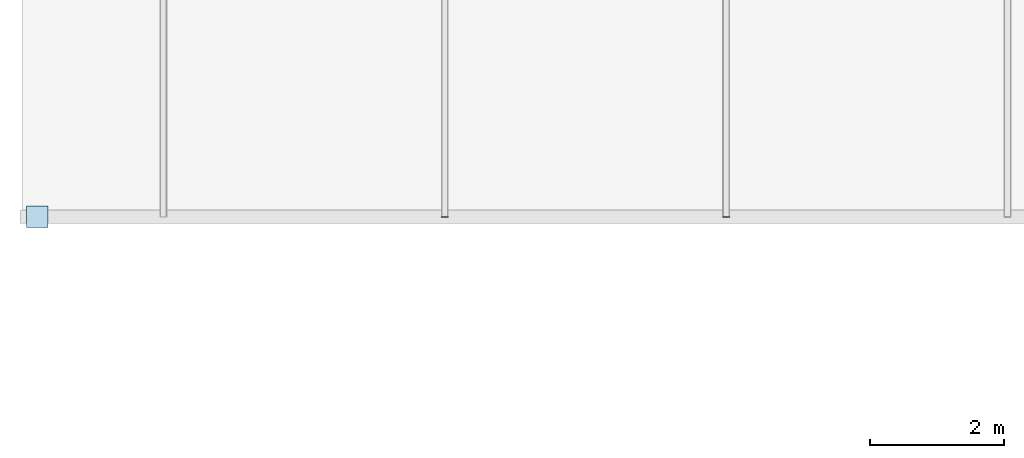
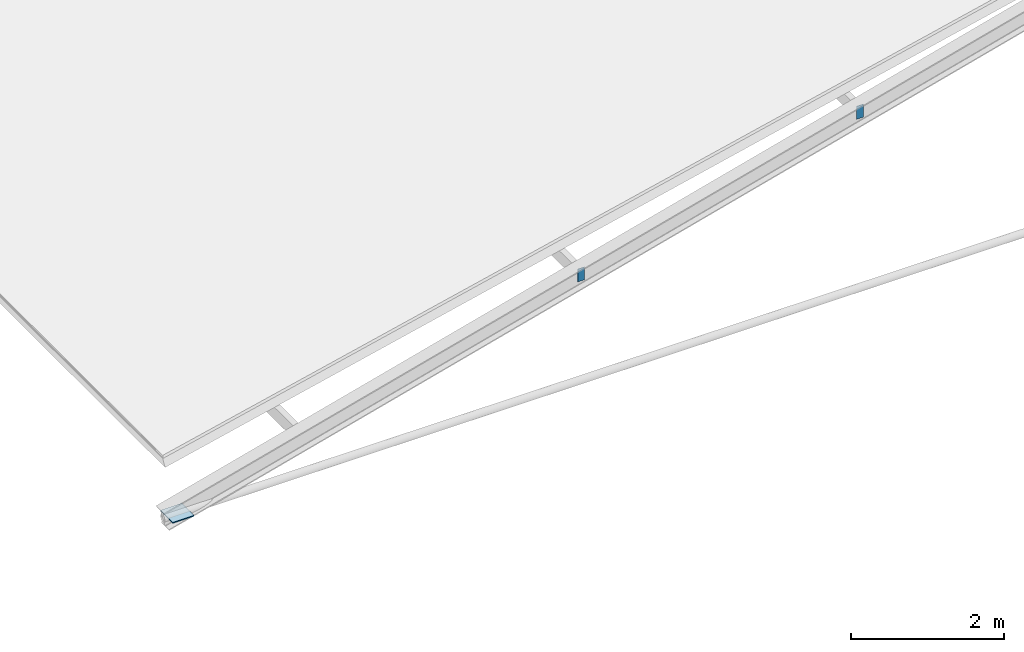
# One storey, part 18 of 42: 3 plates.
"""IFC4 building model written with IfcOpenShell, lengths in metres."""

import ifcopenshell
import ifcopenshell.guid

model = None  # the IFC model being written
_history = None  # IfcOwnerHistory: only IFC2X3 demands one
_inside = {}  # id of a spatial element -> (the spatial element, [elements in it])
_under = {}  # id of a project, library or spatial element -> (it, [spatial elements below it])
_declared = {}  # id of a project -> (the project, [libraries it declares])
_typed = {}  # id of a type object -> (the type object, [elements of that type])
_made_of = {}  # id of a material, layer set ... -> (it, [elements and type objects made of it])


def new_model(schema):
    """Start an empty IFC model of exactly this schema.

    Asked for "IFC4X3", IfcOpenShell would pick the latest addendum, in which some entities
    have other attributes; the version numbers below select the first issue.
    IFC2X3 requires an IfcOwnerHistory on every rooted entity: one is made here for all.
    """
    global model, _history
    if schema == "IFC4X3":
        model = ifcopenshell.file(schema_version=(4, 3, 0, 0))
    else:
        model = ifcopenshell.file(schema=schema)
    _inside.clear()
    _under.clear()
    _declared.clear()
    _typed.clear()
    _made_of.clear()
    _history = None
    if model.schema == "IFC2X3":
        org = make("IfcOrganization", Name="unknown")
        user = make(
            "IfcPersonAndOrganization",
            ThePerson=make("IfcPerson", FamilyName="unknown"),
            TheOrganization=org,
        )
        app = make(
            "IfcApplication",
            ApplicationDeveloper=org,
            Version="unknown",
            ApplicationFullName="unknown",
            ApplicationIdentifier="unknown",
        )
        _history = make(
            "IfcOwnerHistory",
            OwningUser=user,
            OwningApplication=app,
            ChangeAction="ADDED",
            CreationDate=0,
        )
    return model


def make(cls, **values):
    """One entity of the class cls with the attributes given. An attribute that is None is left unset."""
    return model.create_entity(
        cls, **{name: value for name, value in values.items() if value is not None}
    )


def rooted(cls, **values):
    """An entity with a GlobalId (a new one), such as an element, a storey or a relation."""
    return make(cls, GlobalId=ifcopenshell.guid.new(), OwnerHistory=_history, **values)


def si_unit(unit_type, name, prefix=None):
    """IfcSIUnit, for example si_unit("LENGTHUNIT", "METRE", prefix="MILLI")."""
    return make("IfcSIUnit", UnitType=unit_type, Prefix=prefix, Name=name)


def derived_unit(unit_type, elements):
    """IfcDerivedUnit: a product of units, each with its exponent."""
    return make(
        "IfcDerivedUnit",
        Elements=[
            make("IfcDerivedUnitElement", Unit=unit, Exponent=power)
            for unit, power in elements
        ],
        UnitType=unit_type,
    )


def assignment(units):
    """IfcUnitAssignment: the units of a project."""
    return None if units is None else make("IfcUnitAssignment", Units=units)


def point(xyz):
    """IfcCartesianPoint."""
    return None if xyz is None else make("IfcCartesianPoint", Coordinates=xyz)


def direction(xyz):
    """IfcDirection."""
    return None if xyz is None else make("IfcDirection", DirectionRatios=xyz)


def frame(location, z_axis=None, x_axis=None):
    """IfcAxis2Placement3D, a coordinate frame: its origin and axes. An axis left out is left unset."""
    return make(
        "IfcAxis2Placement3D",
        Location=point(location),
        Axis=direction(z_axis),
        RefDirection=direction(x_axis),
    )


def frame_2d(location, x_axis=None):
    """IfcAxis2Placement2D, a coordinate frame in the plane: its origin and x axis."""
    return make(
        "IfcAxis2Placement2D", Location=point(location), RefDirection=direction(x_axis)
    )


def origin():
    """The frame at (0, 0, 0) with its axes left unset."""
    return frame((0.0, 0.0, 0.0))


def origin_2d():
    """The frame at (0, 0) in the plane with its x axis left unset."""
    return frame_2d((0.0, 0.0))


def place(relative_to, where):
    """IfcLocalPlacement: puts the frame where relative to a parent placement (None: the world)."""
    return make(
        "IfcLocalPlacement", PlacementRelTo=relative_to, RelativePlacement=where
    )


def context(
    kind, dimensions, precision=None, world=None, true_north=None, identifier=None
):
    """IfcGeometricRepresentationContext, for example the 3D "Model" context."""
    return make(
        "IfcGeometricRepresentationContext",
        ContextIdentifier=identifier,
        ContextType=kind,
        CoordinateSpaceDimension=dimensions,
        Precision=precision,
        WorldCoordinateSystem=world,
        TrueNorth=true_north,
    )


def subcontext(parent, identifier, kind, view, scale=None):
    """IfcGeometricRepresentationSubContext, for example "Body" below "Model"."""
    return make(
        "IfcGeometricRepresentationSubContext",
        ContextIdentifier=identifier,
        ContextType=kind,
        ParentContext=parent,
        TargetScale=scale,
        TargetView=view,
    )


def project(units=None, contexts=None):
    """IfcProject with its units and contexts."""
    return rooted(
        "IfcProject",
        Name="project",
        RepresentationContexts=contexts,
        UnitsInContext=assignment(units),
    )


def spatial(cls, under=None, at=None, **own):
    """A site, building, storey or space (cls), placed at a placement, below another one or the project."""
    s = rooted(cls, ObjectPlacement=at, **own)
    if under is not None:
        _under.setdefault(under.id(), (under, []))[1].append(s)
    return s


def profile(cls, at=None, kind="AREA", **sizes):
    """A parametric profile (cls). Its sizes go by their IFC names, for example OverallWidth=200.0."""
    return make(cls, ProfileType=kind, Position=at, **sizes)


def rectangle(**sizes):
    """IfcRectangleProfileDef."""
    return profile("IfcRectangleProfileDef", **sizes)


def extrude(swept, where, along, depth):
    """IfcExtrudedAreaSolid: the profile swept, set in the frame where, extruded along a direction by depth."""
    return make(
        "IfcExtrudedAreaSolid",
        SweptArea=swept,
        Position=where,
        ExtrudedDirection=direction(along),
        Depth=depth,
    )


def shape(context_of_items, identifier, shape_type, items):
    """IfcShapeRepresentation: the items that make up one representation, for example the "Body"."""
    return make(
        "IfcShapeRepresentation",
        ContextOfItems=context_of_items,
        RepresentationIdentifier=identifier,
        RepresentationType=shape_type,
        Items=items,
    )


def material(Name=None, Category=None):
    """IfcMaterial."""
    return make("IfcMaterial", Name=Name, Category=Category)


def layer(
    of_material, thickness, ventilated=None, Name=None, Category=None, Priority=None
):
    """IfcMaterialLayer: one layer of a wall or slab, of a material (None: an air gap)."""
    return make(
        "IfcMaterialLayer",
        Material=of_material,
        LayerThickness=thickness,
        IsVentilated=ventilated,
        Name=Name,
        Category=Category,
        Priority=Priority,
    )


def layer_set(layers, Name=None):
    """IfcMaterialLayerSet."""
    return make("IfcMaterialLayerSet", MaterialLayers=layers, LayerSetName=Name)


def made_of(thing, what):
    """Note that an element or type object is made of a material, layer set ...; save() writes the relation."""
    if what is not None:
        _made_of.setdefault(what.id(), (what, []))[1].append(thing)
    return thing


def type_object(cls, material=None, **own):
    """A type object (cls), such as IfcWallType, which elements share."""
    return made_of(rooted(cls, **own), material)


def element(
    cls,
    number,
    at=None,
    inside=None,
    cuts=None,
    type_object=None,
    material=None,
    context=None,
    identifier="Body",
    shape_type=None,
    held_by="IfcProductDefinitionShape",
    body=None,
    shapes=None,
    **own,
):
    """One element of the class cls, such as IfcWall. Its Tag is "e" and its number.

    at: its placement. inside: the storey or other place that contains it. cuts: it is an
    opening in that element (IfcRelVoidsElement). A single representation is given by context,
    identifier, shape_type and body (its items); several are given by shapes. held_by: the class
    of the entity that holds the representations. save() writes the other relations.
    """
    e = rooted(cls, Tag="e%d" % number, ObjectPlacement=at, **own)
    if body is not None:
        shapes = [shape(context, identifier, shape_type, body)]
    if shapes is not None:
        e.Representation = make(held_by, Representations=shapes)
    if inside is not None:
        _inside.setdefault(inside.id(), (inside, []))[1].append(e)
    if cuts is not None:
        rooted(
            "IfcRelVoidsElement", RelatingBuildingElement=cuts, RelatedOpeningElement=e
        )
    if type_object is not None:
        _typed.setdefault(type_object.id(), (type_object, []))[1].append(e)
    return made_of(e, material)


def aggregate(whole, parts):
    """IfcRelAggregates: a whole, such as a stair, and the parts it consists of."""
    return rooted("IfcRelAggregates", RelatingObject=whole, RelatedObjects=parts)


def save(model, path):
    """Write the relations noted so far, then the file.

    IfcRelAggregates (storeys below a building ...), IfcRelContainedInSpatialStructure (elements
    in a storey), IfcRelDefinesByType, IfcRelAssociatesMaterial and IfcRelDeclares: one each for
    every whole, place, type object, material and project.
    """
    for whole, parts in _under.values():
        aggregate(whole, parts)
    for where, things in _inside.values():
        rooted(
            "IfcRelContainedInSpatialStructure",
            RelatedElements=things,
            RelatingStructure=where,
        )
    for kind, things in _typed.values():
        rooted("IfcRelDefinesByType", RelatedObjects=things, RelatingType=kind)
    for what, things in _made_of.values():
        rooted("IfcRelAssociatesMaterial", RelatedObjects=things, RelatingMaterial=what)
    for by, libraries in _declared.values():
        rooted("IfcRelDeclares", RelatingContext=by, RelatedDefinitions=libraries)
    model.write(path)


model = new_model("IFC4")

# Units and contexts
model_context = context("Model", 3, precision=1e-05, world=origin(), true_north=direction((0.0, 1.0)))
body_context = subcontext(model_context, "Body", "Model", "MODEL_VIEW")
ifc_project = project(units=[si_unit("LENGTHUNIT", "METRE"), si_unit("AREAUNIT", "SQUARE_METRE"), si_unit("VOLUMEUNIT", "CUBIC_METRE"), si_unit("PLANEANGLEUNIT", "RADIAN"), si_unit("MASSUNIT", "GRAM", prefix="KILO"), derived_unit("THERMALTRANSMITTANCEUNIT", [(si_unit("POWERUNIT", "WATT"), 1), (si_unit("LENGTHUNIT", "METRE"), -2), (si_unit("THERMODYNAMICTEMPERATUREUNIT", "KELVIN"), -1)])], contexts=[model_context])

# Site, building, storey
site_placement = place(None, origin())
site = spatial("IfcSite", under=ifc_project, at=site_placement, CompositionType="ELEMENT")
building_placement = place(site_placement, origin())
building = spatial("IfcBuilding", under=site, at=building_placement, Name="Barrovel Congress Hotel", CompositionType="ELEMENT")
storey_placement = place(building_placement, frame((0.0, 0.0, 18.300048828125)))
storey = spatial("IfcBuildingStorey", under=building, at=storey_placement, Name="L04", CompositionType="ELEMENT", Elevation=18.300048828125)

# Plates
ifc_material = material(Name="Steel ASTM A992 Grade 50", Category="steel")
ifc_layer_1 = layer(ifc_material, 0.010009765625)
ifc_layer_set_1 = layer_set([ifc_layer_1], Name="Steel ASTM A992 Grade 50")
plate_type_1 = type_object("IfcPlateType", Name="EC-10", PredefinedType="SHEET", material=ifc_layer_set_1)
for number, where, z_axis, x_axis, name in (
    (1, (6.300048828125, 37.794921875, 0.6298828125), (0.0, 0.0, 1.0), (0.0, -1.0, 0.0), "End Cap Plate SF-PUR:1:0 start"),
    (2, (10.5, 37.794921875, 1.751220703125), (0.0, 0.0, 1.0), (0.0, -1.0, 0.0), "End Cap Plate SF-PUR:2:0 start"),
):
    element("IfcPlate", number, at=place(storey_placement, frame(where, z_axis=z_axis, x_axis=x_axis)), inside=storey, type_object=plate_type_1, Name=name, PredefinedType="SHEET", context=body_context, shape_type="SweptSolid", body=[
        extrude(rectangle(XDim=0.010009765625, YDim=0.1015625, at=origin_2d()), origin(), (0.0, 0.0, 1.0), 0.203125),
    ])
ifc_layer_2 = layer(ifc_material, 0.01611328125)
ifc_layer_set_2 = layer_set([ifc_layer_2], Name="Steel ASTM A992 Grade 50")
plate_type_2 = type_object("IfcPlateType", Name="GP-16", PredefinedType="SHEET", material=ifc_layer_set_2)
plate_placement = place(storey_placement, frame((0.219970703125, 37.800048828125, -0.9580078125), z_axis=(0.0, 0.0, 1.0), x_axis=(1.0, 0.0, 0.0)))
element("IfcPlate", 3, at=plate_placement, inside=storey, type_object=plate_type_2, Name="V1-RAF-EGP:0:W", PredefinedType="SHEET", context=body_context, shape_type="SweptSolid", body=[
    extrude(rectangle(XDim=0.320068359375, YDim=0.320068359375, at=origin_2d()), origin(), (0.0, 0.0, 1.0), 0.01611328125),
])

save(model, "model.ifc")
